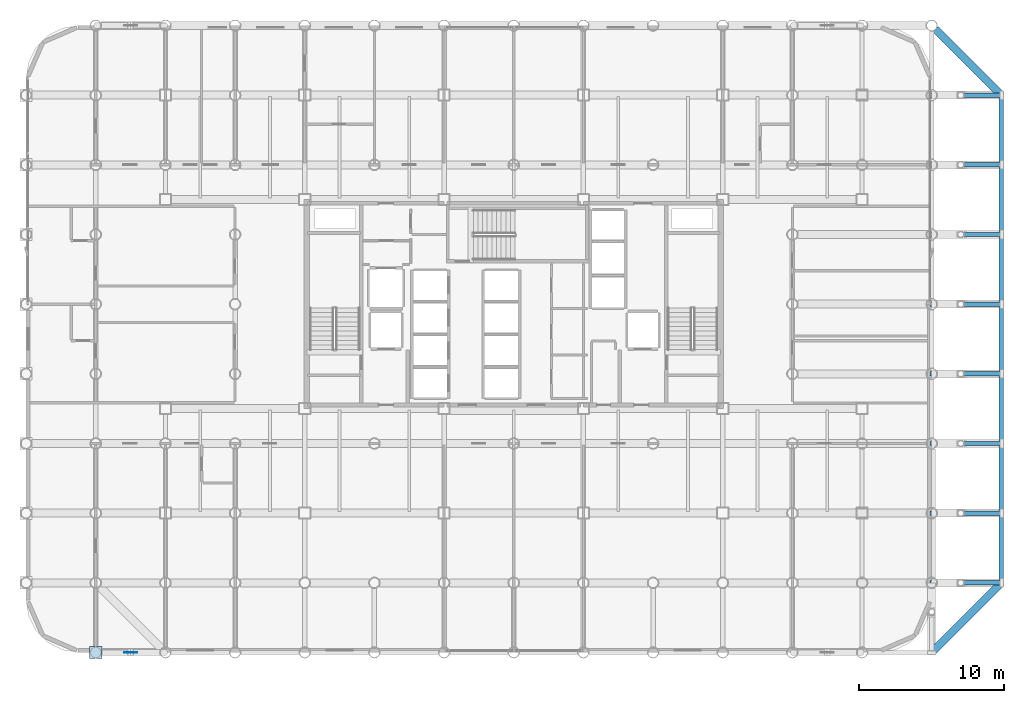
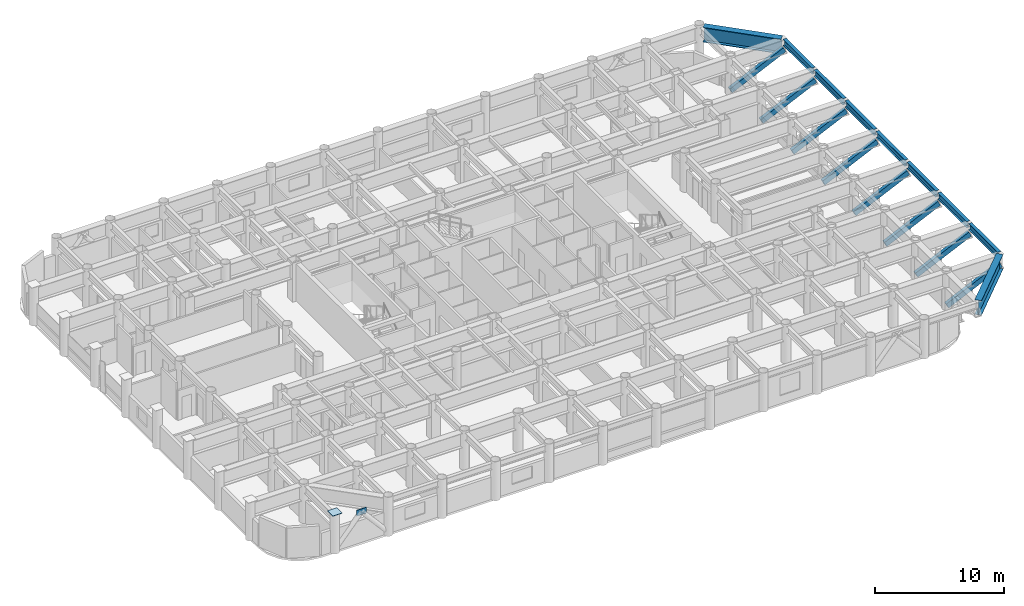
# One storey, part 18 of 26: 9 beams, 8 members, 2 plates.
"""IFC4 building model written with IfcOpenShell, lengths in metres."""

from ifc_helpers import new_model, si_unit, direction, frame, origin, origin_2d, place, context, subcontext, project, spatial, rectangle, hollow_rectangle, i_section, extrude, material, layer, layer_set, material_profile, profile_set, type_object, element, save


model = new_model("IFC4")

# Units and contexts
model_context = context("Model", 3, precision=1e-05, world=origin(), true_north=direction((0.0, 1.0)))
body_context = subcontext(model_context, "Body", "Model", "MODEL_VIEW")
ifc_project = project(units=[si_unit("LENGTHUNIT", "METRE"), si_unit("AREAUNIT", "SQUARE_METRE"), si_unit("VOLUMEUNIT", "CUBIC_METRE"), si_unit("PLANEANGLEUNIT", "RADIAN"), si_unit("MASSUNIT", "GRAM", prefix="KILO")], contexts=[model_context])

# Site, building, storey
site_placement = place(None, origin())
site = spatial("IfcSite", under=ifc_project, at=site_placement, CompositionType="ELEMENT")
building_placement = place(site_placement, origin())
building = spatial("IfcBuilding", under=site, at=building_placement, Name="Kallvorn Hotel Tower", CompositionType="ELEMENT")
storey_placement = place(building_placement, frame((0.0, 0.0, 55.89990234375)))
storey = spatial("IfcBuildingStorey", under=building, at=storey_placement, Name="L12", CompositionType="ELEMENT", Elevation=55.89990234375)

# Beams
ifc_material_1 = material(Name="Structural steel S355JR", Category="steel")
ifc_material_profile_1 = material_profile(ifc_material_1, i_section(OverallWidth=0.300048828125, OverallDepth=0.60009765625, WebThickness=0.015380859375, FlangeThickness=0.030029296875, at=origin_2d()), Name="HE 600 B")
ifc_profile_set_1 = profile_set([ifc_material_profile_1], Name="Structural steel S355JR")
beam_type_1 = type_object("IfcBeamType", Name="BM_HE600B", PredefinedType="SPANDREL", material=ifc_profile_set_1)
for number, where, z_axis, x_axis, name in (
    (1, (33.60009765625, -19.050048828125, 3.22021484375), (0.0, 1.0, 0.0), (-1.0, 0.0, 0.0), "L13 Perimeter Spandrel 191"),
    (2, (33.60009765625, -14.25, 3.22021484375), (0.0, 1.0, 0.0), (-1.0, 0.0, 0.0), "L13 Perimeter Spandrel 192"),
    (3, (33.60009765625, -9.449951171875, 3.22021484375), (0.0, 1.0, 0.0), (-1.0, 0.0, 0.0), "L13 Perimeter Spandrel 193"),
    (4, (33.60009765625, -4.64990234375, 3.22021484375), (0.0, 1.0, 0.0), (-1.0, 0.0, 0.0), "L13 Perimeter Spandrel 194"),
    (5, (33.60009765625, 0.14990234375, 3.22021484375), (0.0, 1.0, 0.0), (-1.0, 0.0, 0.0), "L13 Perimeter Spandrel 195"),
    (6, (33.60009765625, 4.949951171875, 3.22021484375), (0.0, 1.0, 0.0), (-1.0, 0.0, 0.0), "L13 Perimeter Spandrel 196"),
    (7, (33.60009765625, 9.75, 3.22021484375), (0.0, 1.0, 0.0), (-1.0, 0.0, 0.0), "L13 Perimeter Spandrel 197"),
):
    element("IfcBeam", number, at=place(storey_placement, frame(where, z_axis=z_axis, x_axis=x_axis)), inside=storey, type_object=beam_type_1, Name=name, PredefinedType="SPANDREL", context=body_context, shape_type="SweptSolid", body=[
        extrude(i_section(OverallWidth=0.300048828125, OverallDepth=0.60009765625, WebThickness=0.015380859375, FlangeThickness=0.030029296875, at=origin_2d()), origin(), (0.0, 0.0, 1.0), 4.5),
    ])
ifc_material_2 = material(Name="Structural steel S355JR", Category="steel")
ifc_material_profile_2 = material_profile(ifc_material_2, i_section(OverallWidth=0.550048828125, OverallDepth=1.39990234375, WebThickness=0.02490234375, FlangeThickness=0.044921875, at=origin_2d()), Name="PG 1400x550x25x45")
ifc_profile_set_2 = profile_set([ifc_material_profile_2], Name="Structural steel S355JR")
beam_type_2 = type_object("IfcBeamType", Name="BM_PG_1400", PredefinedType="BEAM", material=ifc_profile_set_2)
beam_1_placement = place(storey_placement, frame((33.493896484375, -19.30615234375, 2.820068359375), z_axis=(-0.707125595474, -0.707087966398, 0.0), x_axis=(0.707087966398, -0.707125595474, 0.0)))
element("IfcBeam", 8, at=beam_1_placement, inside=storey, type_object=beam_type_2, Name="L13 Rounded Corner Tie Beam 199", PredefinedType="BEAM", context=body_context, shape_type="SweptSolid", body=[
    extrude(i_section(OverallWidth=0.550048828125, OverallDepth=1.39990234375, WebThickness=0.02490234375, FlangeThickness=0.044921875, at=origin_2d()), origin(), (0.0, 0.0, 1.0), 6.488037109375),
])
beam_2_placement = place(storey_placement, frame((33.493896484375, 14.506103515625, 2.820068359375), z_axis=(-0.707106781187, 0.707106781187, 0.0), x_axis=(-0.707106781187, -0.707106781187, 0.0)))
element("IfcBeam", 9, at=beam_2_placement, inside=storey, type_object=beam_type_2, Name="L13 Rounded Corner Tie Beam 200", PredefinedType="BEAM", context=body_context, shape_type="SweptSolid", body=[
    extrude(i_section(OverallWidth=0.550048828125, OverallDepth=1.39990234375, WebThickness=0.02490234375, FlangeThickness=0.044921875, at=origin_2d()), origin(), (0.0, 0.0, 1.0), 6.267333984375),
])

# Members
ifc_material_3 = material(Name="Structural steel S355J2H", Category="steel")
ifc_material_profile_3 = material_profile(ifc_material_3, hollow_rectangle(XDim=0.300048828125, YDim=0.5, WallThickness=0.02490234375, at=origin_2d()), Name="RHS 500x300x25")
ifc_profile_set_3 = profile_set([ifc_material_profile_3], Name="Structural steel S355J2H")
member_type = type_object("IfcMemberType", Name="MBR_OUTRIGGER_RHS500", PredefinedType="BRACE", material=ifc_profile_set_3)
for number, where, z_axis, x_axis, name in (
    (10, (28.800048828125, -19.199951171875, 0.25), (0.907613189565, 0.0, 0.419807453634), (0.0, 1.0, 0.0), "L13 Exoskeleton Cantilever Raking Strut 02"),
    (11, (28.800048828125, -14.39990234375, 0.25), (0.907613189565, 0.0, 0.419807453634), (0.0, 1.0, 0.0), "L13 Exoskeleton Cantilever Raking Strut 03"),
    (12, (28.800048828125, -9.60009765625, 0.25), (0.907613189565, 0.0, 0.419807453634), (0.0, 1.0, 0.0), "L13 Exoskeleton Cantilever Raking Strut 04"),
    (13, (28.800048828125, -4.800048828125, 0.25), (0.907613189565, 0.0, 0.419807453634), (0.0, 1.0, 0.0), "L13 Exoskeleton Cantilever Raking Strut 05"),
    (14, (28.800048828125, 0.0, 0.25), (0.907613189565, 0.0, 0.419807453634), (0.0, 1.0, 0.0), "L13 Exoskeleton Cantilever Raking Strut 06"),
    (15, (28.800048828125, 4.800048828125, 0.25), (0.907613189565, 0.0, 0.419807453634), (0.0, 1.0, 0.0), "L13 Exoskeleton Cantilever Raking Strut 07"),
    (16, (28.800048828125, 9.60009765625, 0.25), (0.907613189565, 0.0, 0.419807453634), (0.0, 1.0, 0.0), "L13 Exoskeleton Cantilever Raking Strut 08"),
    (17, (28.800048828125, 14.39990234375, 0.25), (0.907613189565, 0.0, 0.419807453634), (0.0, 1.0, 0.0), "L13 Exoskeleton Cantilever Raking Strut 09"),
):
    element("IfcMember", number, at=place(storey_placement, frame(where, z_axis=z_axis, x_axis=x_axis)), inside=storey, type_object=member_type, Name=name, PredefinedType="BRACE", context=body_context, shape_type="SweptSolid", body=[
        extrude(hollow_rectangle(XDim=0.300048828125, YDim=0.5, WallThickness=0.02490234375, at=origin_2d()), origin(), (0.0, 0.0, 1.0), 5.28857421875),
    ])

# Plates
ifc_material_4 = material(Name="Structural steel S355JR", Category="steel")
ifc_layer_1 = layer(ifc_material_4, 0.030029296875)
ifc_layer_set_1 = layer_set([ifc_layer_1], Name="PLT_CAP_30")
plate_type_1 = type_object("IfcPlateType", Name="PLT_CAP_30", PredefinedType="SHEET", material=ifc_layer_set_1)
plate_1_placement = place(storey_placement, frame((-28.800048828125, -24.0, 3.7001953125), z_axis=(0.0, 0.0, 1.0), x_axis=(1.0, 0.0, 0.0)))
element("IfcPlate", 18, at=plate_1_placement, inside=storey, type_object=plate_type_1, Name="L12 Hollow Column Top End Cap Plate 0145", PredefinedType="SHEET", context=body_context, shape_type="SweptSolid", body=[
    extrude(rectangle(XDim=0.842041015625, YDim=0.842041015625, at=origin_2d()), origin(), (0.0, 0.0, 1.0), 0.030029296875),
])
ifc_material_5 = material(Name="Structural steel S355JR", Category="steel")
ifc_layer_2 = layer(ifc_material_5, 0.044921875)
ifc_layer_set_2 = layer_set([ifc_layer_2], Name="PLT_GUSSET_45")
plate_type_2 = type_object("IfcPlateType", Name="PLT_GUSSET_45", PredefinedType="USERDEFINED", material=ifc_layer_set_2)
plate_2_placement = place(storey_placement, frame((-26.39990234375, -24.0, 2.64013671875), z_axis=(0.0, 0.0, 1.0), x_axis=(1.0, 0.0, 0.0)))
element("IfcPlate", 19, at=plate_2_placement, inside=storey, type_object=plate_type_2, Name="L12 Exoskeleton Node Gusset S1", ObjectType="GUSSET PLATE", PredefinedType="USERDEFINED", context=body_context, shape_type="SweptSolid", body=[
    extrude(rectangle(XDim=0.89990234375, YDim=0.044921875, at=origin_2d()), origin(), (0.0, 0.0, 1.0), 0.56005859375),
])

save(model, "model.ifc")
